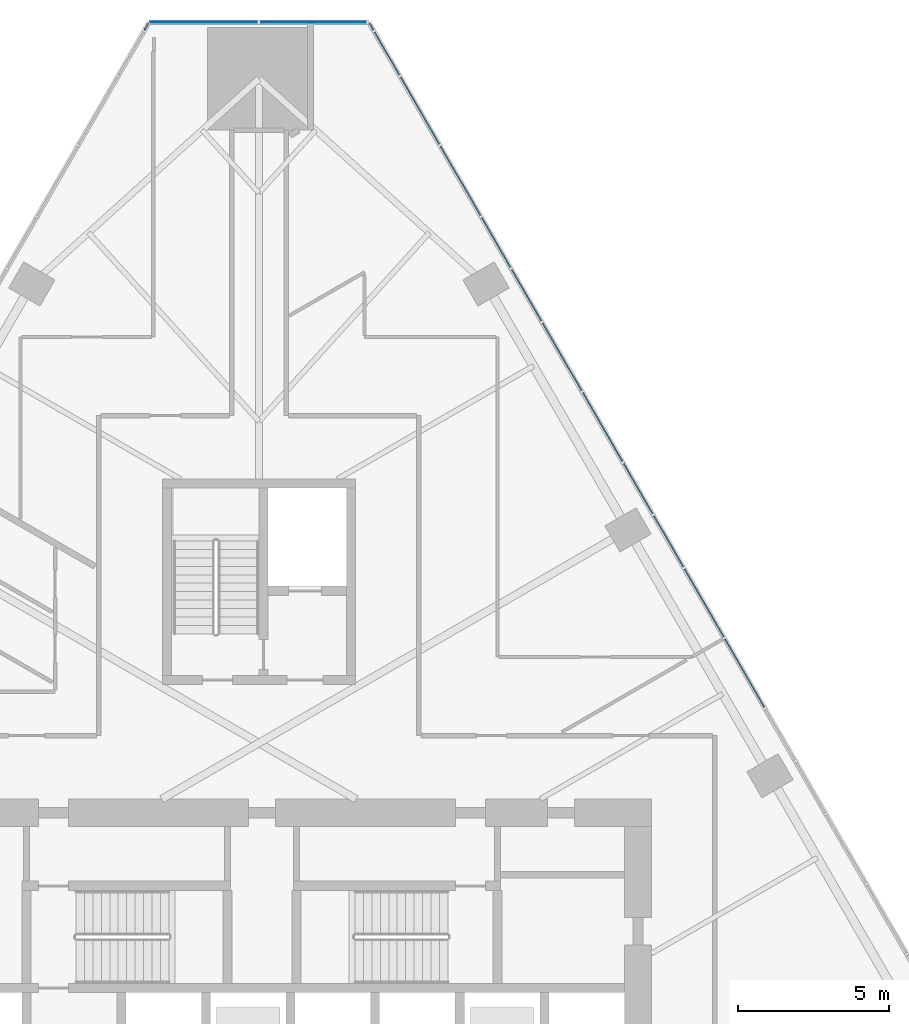
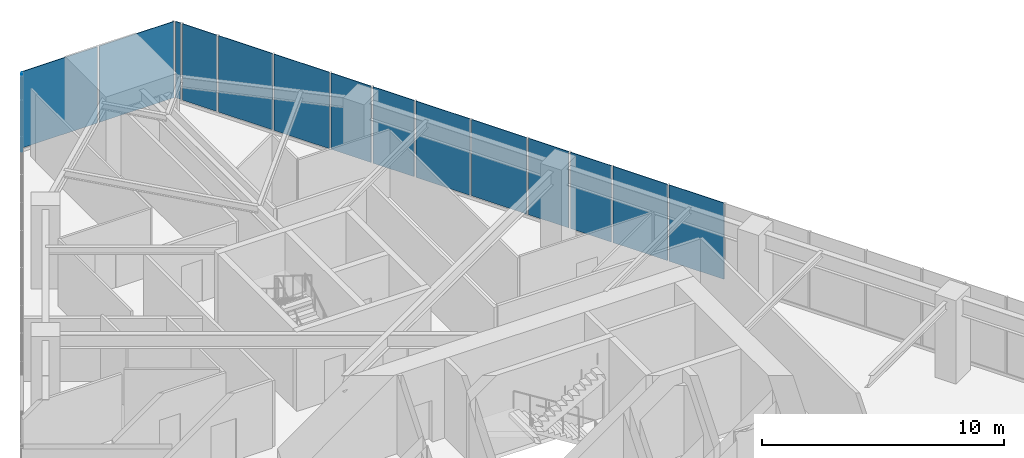
# One storey, part 15 of 21: 15 plates, 3 elements without a shape of their own.
"""IFC4 building model written with IfcOpenShell, lengths in metres."""

from ifc_helpers import new_model, si_unit, direction, frame, origin, place, context, subcontext, project, spatial, polyline, outline, extrude, material, layer, layer_set, type_object, element, aggregate, save


model = new_model("IFC4")

# Units and contexts
model_context = context("Model", 3, precision=1e-05, world=origin(), true_north=direction((0.0, 1.0)))
body_context = subcontext(model_context, "Body", "Model", "MODEL_VIEW")
ifc_project = project(units=[si_unit("LENGTHUNIT", "METRE"), si_unit("AREAUNIT", "SQUARE_METRE"), si_unit("VOLUMEUNIT", "CUBIC_METRE"), si_unit("PLANEANGLEUNIT", "RADIAN"), si_unit("MASSUNIT", "GRAM", prefix="KILO")], contexts=[model_context])

# Site, building, storey
site_placement = place(None, origin())
site = spatial("IfcSite", under=ifc_project, at=site_placement, CompositionType="ELEMENT")
building_placement = place(site_placement, origin())
building = spatial("IfcBuilding", under=site, at=building_placement, Name="Firuza Gate Tower and Library", CompositionType="ELEMENT")
storey_placement = place(building_placement, frame((0.0, 0.0, 98.800048828125)))
storey = spatial("IfcBuildingStorey", under=building, at=storey_placement, Name="L22", CompositionType="ELEMENT", Elevation=98.800048828125)

# Curtain wall, plates
ifc_material_1 = material(Name="Aluminium 6063-T6", Category="aluminium")
ifc_layer_1 = layer(ifc_material_1, 0.14990234375)
ifc_layer_set_1 = layer_set([ifc_layer_1], Name="Corner curtain wall, chamfers")
curtain_wall_type_1 = type_object("IfcCurtainWallType", Name="Corner curtain wall, chamfers", PredefinedType="NOTDEFINED", material=ifc_layer_set_1)
placement = place(storey_placement, origin())
curtain_wall_1 = element("IfcCurtainWall", 1, at=placement, inside=storey, type_object=curtain_wall_type_1, Name="CW4 L22 N corner", PredefinedType="NOTDEFINED")
ifc_material_2 = material(Name="Fritted glass", Category="glass")
ifc_layer_2 = layer(ifc_material_2, 0.030029296875)
ifc_layer_set_2 = layer_set([ifc_layer_2], Name="Fritted glass unit, corners")
plate_type_1 = type_object("IfcPlateType", Name="Fritted glass unit, corners", PredefinedType="CURTAIN_PANEL", material=ifc_layer_set_2)
plate_1_placement = place(storey_placement, frame((78.603271484375, 109.74267578125, 0.14990234375), z_axis=(0.0, 1.0, 0.0), x_axis=(-1.0, 0.0, 0.0)))
plate_1 = element("IfcPlate", 2, at=plate_1_placement, type_object=plate_type_1, Name="Glass unit", PredefinedType="CURTAIN_PANEL", context=body_context, shape_type="SweptSolid", body=[
    extrude(outline(polyline([(0.0, 0.0), (3.563232421875, 0.0), (3.563232421875, 3.85009765625), (0.0, 3.85009765625), (0.0, 0.0)])), origin(), (0.0, 0.0, -1.0), 0.030029296875),
])
plate_2_placement = place(storey_placement, frame((74.9599609375, 109.74267578125, 0.14990234375), z_axis=(0.0, 1.0, 0.0), x_axis=(-1.0, 0.0, 0.0)))
plate_2 = element("IfcPlate", 3, at=plate_2_placement, type_object=plate_type_1, Name="Glass unit", PredefinedType="CURTAIN_PANEL", context=body_context, shape_type="SweptSolid", body=[
    extrude(outline(polyline([(0.0, 0.0), (3.563232421875, 0.0), (3.563232421875, 3.85009765625), (0.0, 3.85009765625), (0.0, 0.0)])), origin(), (0.0, 0.0, -1.0), 0.030029296875),
])
aggregate(curtain_wall_1, [plate_1, plate_2])

ifc_material_3 = material(Name="Aluminium 6063-T6", Category="aluminium")
ifc_layer_3 = layer(ifc_material_3, 0.14990234375)
ifc_layer_set_3 = layer_set([ifc_layer_3], Name="Unitised curtain wall, offices")
curtain_wall_type_2 = type_object("IfcCurtainWallType", Name="Unitised curtain wall, offices", PredefinedType="NOTDEFINED", material=ifc_layer_set_3)
curtain_wall_2 = element("IfcCurtainWall", 4, at=placement, inside=storey, type_object=curtain_wall_type_2, Name="CW1 L22 E face", PredefinedType="NOTDEFINED")
ifc_material_4 = material(Name="Fritted glass", Category="glass")
ifc_layer_4 = layer(ifc_material_4, 0.030029296875)
ifc_layer_set_4 = layer_set([ifc_layer_4], Name="Fritted glass unit, offices")
plate_type_2 = type_object("IfcPlateType", Name="Fritted glass unit, offices", PredefinedType="CURTAIN_PANEL", material=ifc_layer_set_4)
plate_3_placement = place(storey_placement, frame((89.069580078125, 91.69873046875, 0.14990234375), z_axis=(0.866016800201, 0.500014901547, 0.0), x_axis=(-0.500014901547, 0.866016800201, 0.0)))
plate_3 = element("IfcPlate", 5, at=plate_3_placement, type_object=plate_type_2, Name="Glass unit", PredefinedType="CURTAIN_PANEL", context=body_context, shape_type="SweptSolid", body=[
    extrude(outline(polyline([(0.0, 0.0), (1.9511137257751934, 0.0), (1.9511137257751934, 3.850097656250001), (0.0, 3.850097656250001), (0.0, 0.0)])), origin(), (0.0, 0.0, -1.0), 0.030029296875),
])
plate_4_placement = place(storey_placement, frame((88.05419921875, 93.457763671875, 0.14990234375), z_axis=(0.866022735809, 0.500004621041, 0.0), x_axis=(-0.500004621041, 0.866022735809, 0.0)))
plate_4 = element("IfcPlate", 6, at=plate_4_placement, type_object=plate_type_2, Name="Glass unit", PredefinedType="CURTAIN_PANEL", context=body_context, shape_type="SweptSolid", body=[
    extrude(outline(polyline([(0.0, 0.0), (1.9223455147749466, 0.0), (1.9223455147749466, 3.85009765625), (0.0, 3.85009765625), (0.0, 0.0)])), origin(), (0.0, 0.0, -1.0), 0.030029296875),
])
plate_5_placement = place(storey_placement, frame((84.367919921875, 99.84228515625, 0.14990234375), z_axis=(0.866040790738, 0.499973348067, 0.0), x_axis=(-0.499973348067, 0.866040790738, 0.0)))
plate_5 = element("IfcPlate", 7, at=plate_5_placement, type_object=plate_type_2, Name="Glass unit", PredefinedType="CURTAIN_PANEL", context=body_context, shape_type="SweptSolid", body=[
    extrude(outline(polyline([(0.0, 0.0), (1.9654367966302058, 0.0), (1.9654367966302058, 3.85009765625), (0.0, 3.85009765625), (0.0, 0.0)])), origin(), (0.0, 0.0, -1.0), 0.030029296875),
])
plate_6_placement = place(storey_placement, frame((83.34521484375, 101.61376953125, 0.14990234375), z_axis=(0.866053474134, 0.499951377577, 0.0), x_axis=(-0.499951377577, 0.866053474134, 0.0)))
plate_6 = element("IfcPlate", 8, at=plate_6_placement, type_object=plate_type_2, Name="Glass unit", PredefinedType="CURTAIN_PANEL", context=body_context, shape_type="SweptSolid", body=[
    extrude(outline(polyline([(0.0, 0.0), (1.9079003772288752, 0.0), (1.9079003772288752, 3.85009765625), (0.0, 3.85009765625), (0.0, 0.0)])), origin(), (0.0, 0.0, -1.0), 0.030029296875),
])
plate_7_placement = place(storey_placement, frame((79.666259765625, 107.98583984375, 0.14990234375), z_axis=(0.866020385251, 0.500008692254, 0.0), x_axis=(-0.500008692254, 0.866020385251, 0.0)))
plate_7 = element("IfcPlate", 9, at=plate_7_placement, type_object=plate_type_2, Name="Glass unit", PredefinedType="CURTAIN_PANEL", context=body_context, shape_type="SweptSolid", body=[
    extrude(outline(polyline([(0.0, 0.0), (1.6488971159851995, 0.0), (1.6488971159851995, 3.85009765625), (0.0, 3.85009765625), (0.0, 0.0)])), origin(), (0.0, 0.0, -1.0), 0.030029296875),
])
ifc_material_5 = material(Name="Glazed ceramic tile")
ifc_layer_5 = layer(ifc_material_5, 0.030029296875)
ifc_layer_set_5 = layer_set([ifc_layer_5], Name="Opaque ceramic panel, offices")
plate_type_3 = type_object("IfcPlateType", Name="Opaque ceramic panel, offices", PredefinedType="CURTAIN_PANEL", material=ifc_layer_set_5)
plate_8_placement = place(storey_placement, frame((91.754638671875, 87.048095703125, 0.14990234375), z_axis=(0.86601437931, 0.500019094464, 0.0), x_axis=(-0.500019094464, 0.86601437931, 0.0)))
plate_8 = element("IfcPlate", 10, at=plate_8_placement, type_object=plate_type_3, Name="Opaque ceramic panel", PredefinedType="CURTAIN_PANEL", context=body_context, shape_type="SweptSolid", body=[
    extrude(outline(polyline([(0.0, 0.0), (2.612204930192223, 0.0), (2.612204930192223, 3.85009765625), (0.0, 3.85009765625), (0.0, 0.0)])), origin(), (0.0, 0.0, -1.0), 0.030029296875),
])
plate_9_placement = place(storey_placement, frame((90.408447265625, 89.379638671875, 0.14990234375), z_axis=(0.866036909293, 0.499980071345, 0.0), x_axis=(-0.499980071345, 0.866036909293, 0.0)))
plate_9 = element("IfcPlate", 11, at=plate_9_placement, type_object=plate_type_3, Name="Opaque ceramic panel", PredefinedType="CURTAIN_PANEL", context=body_context, shape_type="SweptSolid", body=[
    extrude(outline(polyline([(0.0, 0.0), (2.597759789719434, 0.0), (2.597759789719434, 3.85009765625), (0.0, 3.85009765625), (0.0, 0.0)])), origin(), (0.0, 0.0, -1.0), 0.030029296875),
])
plate_10_placement = place(storey_placement, frame((87.052978515625, 95.191650390625, 0.14990234375), z_axis=(0.86605557906, 0.499947731247, 0.0), x_axis=(-0.499947731247, 0.86605557906, 0.0)))
plate_10 = element("IfcPlate", 12, at=plate_10_placement, type_object=plate_type_3, Name="Opaque ceramic panel", PredefinedType="CURTAIN_PANEL", context=body_context, shape_type="SweptSolid", body=[
    extrude(outline(polyline([(0.0, 0.0), (2.6267394365378003, 0.0), (2.6267394365378003, 3.85009765625), (0.0, 3.85009765625), (0.0, 0.0)])), origin(), (0.0, 0.0, -1.0), 0.030029296875),
])
plate_11_placement = place(storey_placement, frame((85.69970703125, 97.53564453125, 0.14990234375), z_axis=(0.866018769109, 0.500011491418, 0.0), x_axis=(-0.500011491418, 0.866018769109, 0.0)))
plate_11 = element("IfcPlate", 13, at=plate_11_placement, type_object=plate_type_3, Name="Opaque ceramic panel", PredefinedType="CURTAIN_PANEL", context=body_context, shape_type="SweptSolid", body=[
    extrude(outline(polyline([(0.0, 0.0), (2.58343671904594, 0.0), (2.58343671904594, 3.850097656250001), (0.0, 3.850097656250001), (0.0, 0.0)])), origin(), (0.0, 0.0, -1.0), 0.030029296875),
])
plate_12_placement = place(storey_placement, frame((82.351318359375, 103.335205078125, 0.14990234375), z_axis=(0.866033195618, 0.499986503906, 0.0), x_axis=(-0.499986503906, 0.866033195618, 0.0)))
plate_12 = element("IfcPlate", 14, at=plate_12_placement, type_object=plate_type_3, Name="Opaque ceramic panel", PredefinedType="CURTAIN_PANEL", context=body_context, shape_type="SweptSolid", body=[
    extrude(outline(polyline([(0.0, 0.0), (2.6411845726001113, 0.0), (2.6411845726001113, 3.85009765625), (0.0, 3.85009765625), (0.0, 0.0)])), origin(), (0.0, 0.0, -1.0), 0.030029296875),
])
plate_13_placement = place(storey_placement, frame((80.99072265625, 105.69189453125, 0.14990234375), z_axis=(0.866017817033, 0.500013140409, 0.0), x_axis=(-0.500013140409, 0.866017817033, 0.0)))
plate_13 = element("IfcPlate", 15, at=plate_13_placement, type_object=plate_type_3, Name="Opaque ceramic panel", PredefinedType="CURTAIN_PANEL", context=body_context, shape_type="SweptSolid", body=[
    extrude(outline(polyline([(0.0, 0.0), (2.568780146605227, 0.0), (2.568780146605227, 3.85009765625), (0.0, 3.85009765625), (0.0, 0.0)])), origin(), (0.0, 0.0, -1.0), 0.030029296875),
])
plate_14_placement = place(storey_placement, frame((78.802001953125, 109.48291015625, 0.14990234375), z_axis=(0.865780878536, 0.500423291185, 0.0), x_axis=(-0.500423291185, 0.865780878536, 0.0)))
plate_14 = element("IfcPlate", 16, at=plate_14_placement, type_object=plate_type_3, Name="Opaque ceramic panel", PredefinedType="CURTAIN_PANEL", context=body_context, shape_type="SweptSolid", body=[
    extrude(outline(polyline([(0.0, 0.0), (0.2512521381192305, 0.0), (0.2512521381192305, 3.85009765625), (0.0, 3.85009765625), (0.0, 0.0)])), origin(), (0.0, 0.0, -1.0), 0.030029296875),
])
aggregate(curtain_wall_2, [plate_8, plate_9, plate_3, plate_4, plate_10, plate_11, plate_5, plate_6, plate_12, plate_13, plate_7, plate_14])

# Curtain wall, plate
curtain_wall_3 = element("IfcCurtainWall", 17, at=placement, inside=storey, type_object=curtain_wall_type_2, Name="CW1 L22 W face", PredefinedType="NOTDEFINED")
plate_15_placement = place(storey_placement, frame((71.32373046875, 109.700439453125, 0.14990234375), z_axis=(-0.865780878536, 0.500423291185, 0.0), x_axis=(-0.500423291185, -0.865780878536, 0.0)))
plate_15 = element("IfcPlate", 18, at=plate_15_placement, type_object=plate_type_3, Name="Opaque ceramic panel", PredefinedType="CURTAIN_PANEL", context=body_context, shape_type="SweptSolid", body=[
    extrude(outline(polyline([(0.0, 0.0), (0.2512521381192305, 0.0), (0.2512521381192305, 3.85009765625), (0.0, 3.85009765625), (0.0, 0.0)])), origin(), (0.0, 0.0, -1.0), 0.030029296875),
])
aggregate(curtain_wall_3, [plate_15])

save(model, "model.ifc")
